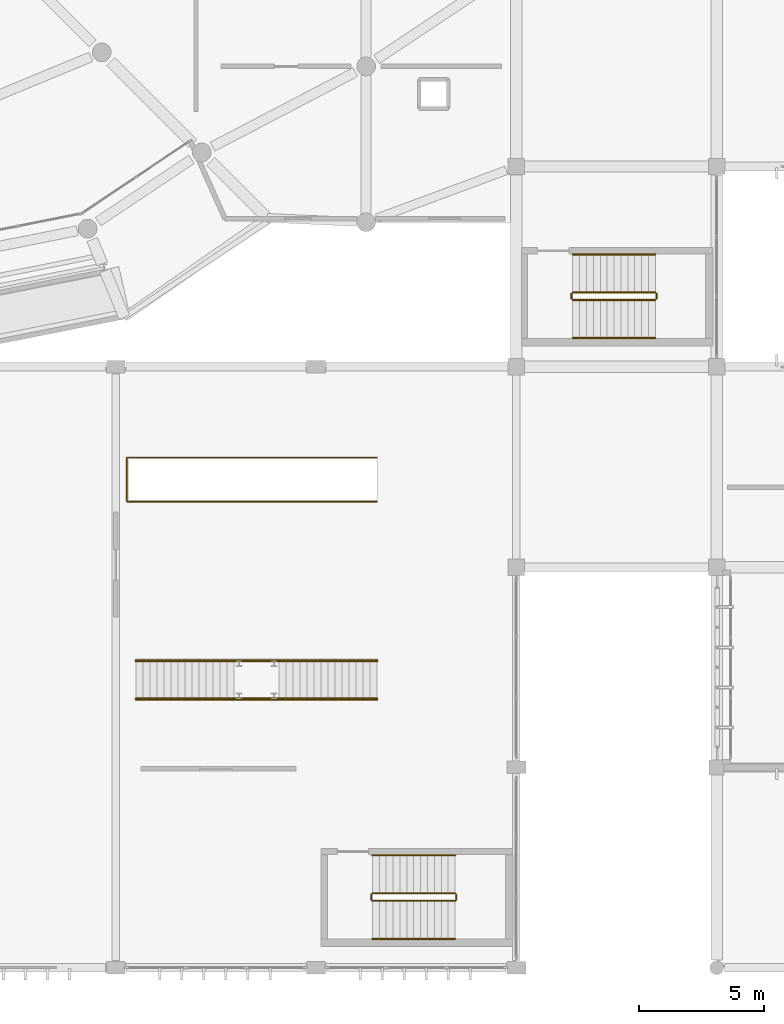
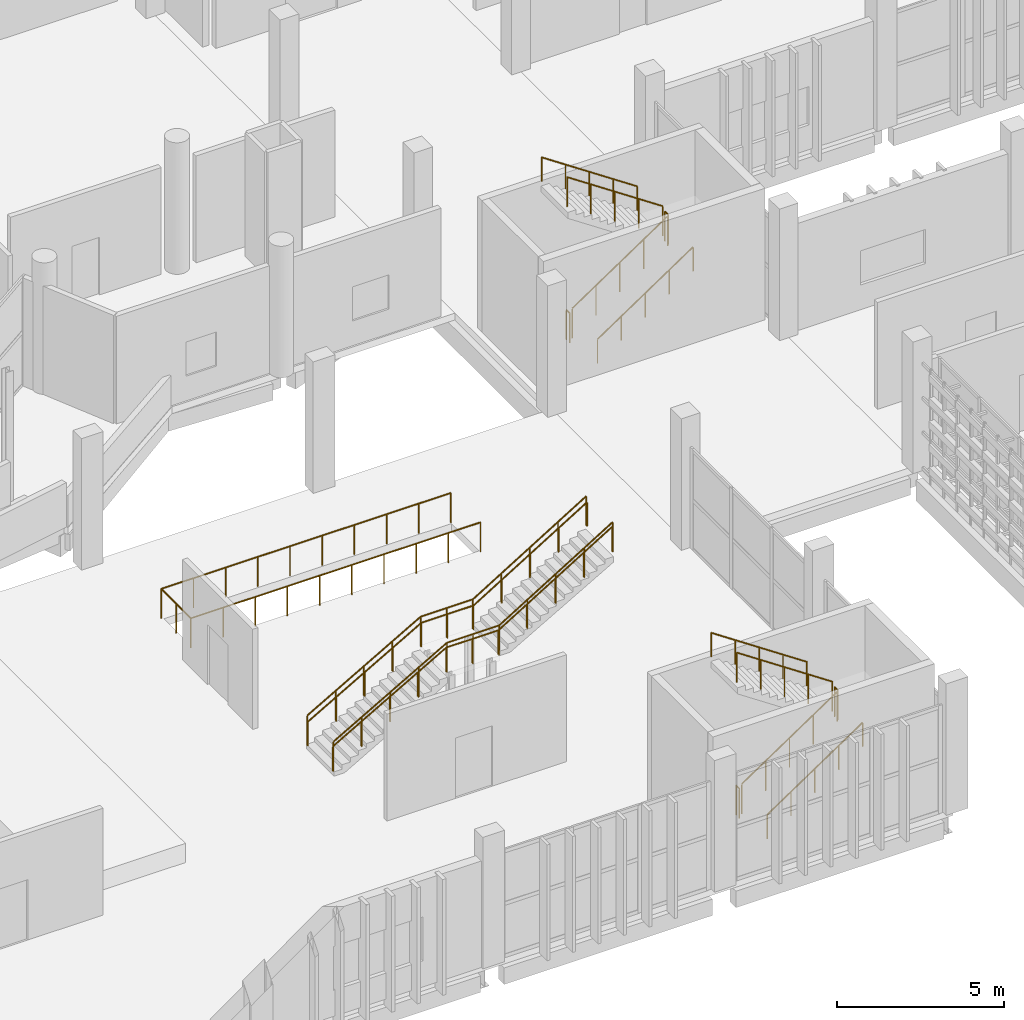
# One storey, part 98 of 106: 17 railings.
"""IFC4 building model written with IfcOpenShell, lengths in metres."""

import ifcopenshell
import ifcopenshell.guid

model = None  # the IFC model being written
_history = None  # IfcOwnerHistory: only IFC2X3 demands one
_inside = {}  # id of a spatial element -> (the spatial element, [elements in it])
_under = {}  # id of a project, library or spatial element -> (it, [spatial elements below it])
_declared = {}  # id of a project -> (the project, [libraries it declares])
_typed = {}  # id of a type object -> (the type object, [elements of that type])
_made_of = {}  # id of a material, layer set ... -> (it, [elements and type objects made of it])


def new_model(schema):
    """Start an empty IFC model of exactly this schema.

    Asked for "IFC4X3", IfcOpenShell would pick the latest addendum, in which some entities
    have other attributes; the version numbers below select the first issue.
    IFC2X3 requires an IfcOwnerHistory on every rooted entity: one is made here for all.
    """
    global model, _history
    if schema == "IFC4X3":
        model = ifcopenshell.file(schema_version=(4, 3, 0, 0))
    else:
        model = ifcopenshell.file(schema=schema)
    _inside.clear()
    _under.clear()
    _declared.clear()
    _typed.clear()
    _made_of.clear()
    _history = None
    if model.schema == "IFC2X3":
        org = make("IfcOrganization", Name="unknown")
        user = make(
            "IfcPersonAndOrganization",
            ThePerson=make("IfcPerson", FamilyName="unknown"),
            TheOrganization=org,
        )
        app = make(
            "IfcApplication",
            ApplicationDeveloper=org,
            Version="unknown",
            ApplicationFullName="unknown",
            ApplicationIdentifier="unknown",
        )
        _history = make(
            "IfcOwnerHistory",
            OwningUser=user,
            OwningApplication=app,
            ChangeAction="ADDED",
            CreationDate=0,
        )
    return model


def make(cls, **values):
    """One entity of the class cls with the attributes given. An attribute that is None is left unset."""
    return model.create_entity(
        cls, **{name: value for name, value in values.items() if value is not None}
    )


def rooted(cls, **values):
    """An entity with a GlobalId (a new one), such as an element, a storey or a relation."""
    return make(cls, GlobalId=ifcopenshell.guid.new(), OwnerHistory=_history, **values)


def si_unit(unit_type, name, prefix=None):
    """IfcSIUnit, for example si_unit("LENGTHUNIT", "METRE", prefix="MILLI")."""
    return make("IfcSIUnit", UnitType=unit_type, Prefix=prefix, Name=name)


def assignment(units):
    """IfcUnitAssignment: the units of a project."""
    return None if units is None else make("IfcUnitAssignment", Units=units)


def point(xyz):
    """IfcCartesianPoint."""
    return None if xyz is None else make("IfcCartesianPoint", Coordinates=xyz)


def direction(xyz):
    """IfcDirection."""
    return None if xyz is None else make("IfcDirection", DirectionRatios=xyz)


def frame(location, z_axis=None, x_axis=None):
    """IfcAxis2Placement3D, a coordinate frame: its origin and axes. An axis left out is left unset."""
    return make(
        "IfcAxis2Placement3D",
        Location=point(location),
        Axis=direction(z_axis),
        RefDirection=direction(x_axis),
    )


def frame_2d(location, x_axis=None):
    """IfcAxis2Placement2D, a coordinate frame in the plane: its origin and x axis."""
    return make(
        "IfcAxis2Placement2D", Location=point(location), RefDirection=direction(x_axis)
    )


def origin():
    """The frame at (0, 0, 0) with its axes left unset."""
    return frame((0.0, 0.0, 0.0))


def origin_2d():
    """The frame at (0, 0) in the plane with its x axis left unset."""
    return frame_2d((0.0, 0.0))


def place(relative_to, where):
    """IfcLocalPlacement: puts the frame where relative to a parent placement (None: the world)."""
    return make(
        "IfcLocalPlacement", PlacementRelTo=relative_to, RelativePlacement=where
    )


def context(
    kind, dimensions, precision=None, world=None, true_north=None, identifier=None
):
    """IfcGeometricRepresentationContext, for example the 3D "Model" context."""
    return make(
        "IfcGeometricRepresentationContext",
        ContextIdentifier=identifier,
        ContextType=kind,
        CoordinateSpaceDimension=dimensions,
        Precision=precision,
        WorldCoordinateSystem=world,
        TrueNorth=true_north,
    )


def subcontext(parent, identifier, kind, view, scale=None):
    """IfcGeometricRepresentationSubContext, for example "Body" below "Model"."""
    return make(
        "IfcGeometricRepresentationSubContext",
        ContextIdentifier=identifier,
        ContextType=kind,
        ParentContext=parent,
        TargetScale=scale,
        TargetView=view,
    )


def project(units=None, contexts=None):
    """IfcProject with its units and contexts."""
    return rooted(
        "IfcProject",
        Name="project",
        RepresentationContexts=contexts,
        UnitsInContext=assignment(units),
    )


def spatial(cls, under=None, at=None, **own):
    """A site, building, storey or space (cls), placed at a placement, below another one or the project."""
    s = rooted(cls, ObjectPlacement=at, **own)
    if under is not None:
        _under.setdefault(under.id(), (under, []))[1].append(s)
    return s


def profile(cls, at=None, kind="AREA", **sizes):
    """A parametric profile (cls). Its sizes go by their IFC names, for example OverallWidth=200.0."""
    return make(cls, ProfileType=kind, Position=at, **sizes)


def circle(**sizes):
    """IfcCircleProfileDef."""
    return profile("IfcCircleProfileDef", **sizes)


def extrude(swept, where, along, depth):
    """IfcExtrudedAreaSolid: the profile swept, set in the frame where, extruded along a direction by depth."""
    return make(
        "IfcExtrudedAreaSolid",
        SweptArea=swept,
        Position=where,
        ExtrudedDirection=direction(along),
        Depth=depth,
    )


def shape(context_of_items, identifier, shape_type, items):
    """IfcShapeRepresentation: the items that make up one representation, for example the "Body"."""
    return make(
        "IfcShapeRepresentation",
        ContextOfItems=context_of_items,
        RepresentationIdentifier=identifier,
        RepresentationType=shape_type,
        Items=items,
    )


def material(Name=None, Category=None):
    """IfcMaterial."""
    return make("IfcMaterial", Name=Name, Category=Category)


def made_of(thing, what):
    """Note that an element or type object is made of a material, layer set ...; save() writes the relation."""
    if what is not None:
        _made_of.setdefault(what.id(), (what, []))[1].append(thing)
    return thing


def type_object(cls, material=None, **own):
    """A type object (cls), such as IfcWallType, which elements share."""
    return made_of(rooted(cls, **own), material)


def element(
    cls,
    number,
    at=None,
    inside=None,
    cuts=None,
    type_object=None,
    material=None,
    context=None,
    identifier="Body",
    shape_type=None,
    held_by="IfcProductDefinitionShape",
    body=None,
    shapes=None,
    **own,
):
    """One element of the class cls, such as IfcWall. Its Tag is "e" and its number.

    at: its placement. inside: the storey or other place that contains it. cuts: it is an
    opening in that element (IfcRelVoidsElement). A single representation is given by context,
    identifier, shape_type and body (its items); several are given by shapes. held_by: the class
    of the entity that holds the representations. save() writes the other relations.
    """
    e = rooted(cls, Tag="e%d" % number, ObjectPlacement=at, **own)
    if body is not None:
        shapes = [shape(context, identifier, shape_type, body)]
    if shapes is not None:
        e.Representation = make(held_by, Representations=shapes)
    if inside is not None:
        _inside.setdefault(inside.id(), (inside, []))[1].append(e)
    if cuts is not None:
        rooted(
            "IfcRelVoidsElement", RelatingBuildingElement=cuts, RelatedOpeningElement=e
        )
    if type_object is not None:
        _typed.setdefault(type_object.id(), (type_object, []))[1].append(e)
    return made_of(e, material)


def aggregate(whole, parts):
    """IfcRelAggregates: a whole, such as a stair, and the parts it consists of."""
    return rooted("IfcRelAggregates", RelatingObject=whole, RelatedObjects=parts)


def save(model, path):
    """Write the relations noted so far, then the file.

    IfcRelAggregates (storeys below a building ...), IfcRelContainedInSpatialStructure (elements
    in a storey), IfcRelDefinesByType, IfcRelAssociatesMaterial and IfcRelDeclares: one each for
    every whole, place, type object, material and project.
    """
    for whole, parts in _under.values():
        aggregate(whole, parts)
    for where, things in _inside.values():
        rooted(
            "IfcRelContainedInSpatialStructure",
            RelatedElements=things,
            RelatingStructure=where,
        )
    for kind, things in _typed.values():
        rooted("IfcRelDefinesByType", RelatedObjects=things, RelatingType=kind)
    for what, things in _made_of.values():
        rooted("IfcRelAssociatesMaterial", RelatedObjects=things, RelatingMaterial=what)
    for by, libraries in _declared.values():
        rooted("IfcRelDeclares", RelatingContext=by, RelatedDefinitions=libraries)
    model.write(path)


model = new_model("IFC4")

# Units and contexts
model_context = context("Model", 3, precision=1e-05, world=origin(), true_north=direction((0.0, 1.0)))
body_context = subcontext(model_context, "Body", "Model", "MODEL_VIEW")
ifc_project = project(units=[si_unit("LENGTHUNIT", "METRE"), si_unit("AREAUNIT", "SQUARE_METRE"), si_unit("VOLUMEUNIT", "CUBIC_METRE"), si_unit("PLANEANGLEUNIT", "RADIAN"), si_unit("MASSUNIT", "GRAM", prefix="KILO")], contexts=[model_context])

# Site, building, storey
site_placement = place(None, origin())
site = spatial("IfcSite", under=ifc_project, at=site_placement, CompositionType="ELEMENT")
building_placement = place(site_placement, origin())
building = spatial("IfcBuilding", under=site, at=building_placement, Name="Jelvoka-Kovrelna Polytechnic", CompositionType="ELEMENT")
storey_placement = place(building_placement, frame((0.0, 0.0, 4.800048828125)))
storey = spatial("IfcBuildingStorey", under=building, at=storey_placement, Name="L02", CompositionType="ELEMENT", Elevation=4.800048828125)

# Railings
ifc_material_1 = material(Name="Powder-coated steel stair guard", Category="steel")
railing_type_1 = type_object("IfcRailingType", Name="Railing_Stair_Guard_1100", PredefinedType="GUARDRAIL", material=ifc_material_1)
railing_1_placement = place(storey_placement, frame((50.25, 26.669921875, 0.1845703125)))
element("IfcRailing", 1, at=railing_1_placement, inside=storey, type_object=railing_type_1, Name="L02 ST03 stair guard 1", PredefinedType="GUARDRAIL", context=body_context, shape_type="SweptSolid", body=[
    extrude(circle(Radius=0.02392578125, at=origin_2d()), frame((0.0, 0.0, 1.076171875), z_axis=(0.830269453126, 0.0, 0.557362211857), x_axis=(0.0, 1.0, 0.0)), (0.0, 0.0, 1.0), 3.974609375),
    extrude(circle(Radius=0.02099609375, at=origin_2d()), origin(), (0.0, 0.0, 1.0), 1.052001953125),
    extrude(circle(Radius=0.02099609375, at=origin_2d()), frame((0.824951171875, 0.0, 0.5537109375)), (0.0, 0.0, 1.0), 1.052001953125),
    extrude(circle(Radius=0.02099609375, at=origin_2d()), frame((1.64990234375, 0.0, 1.107666015625)), (0.0, 0.0, 1.0), 1.052001953125),
    extrude(circle(Radius=0.02099609375, at=origin_2d()), frame((2.47509765625, 0.0, 1.66162109375)), (0.0, 0.0, 1.0), 1.052001953125),
    extrude(circle(Radius=0.02099609375, at=origin_2d()), frame((3.300048828125, 0.0, 2.21533203125)), (0.0, 0.0, 1.0), 1.052001953125),
])
railing_2_placement = place(storey_placement, frame((53.60009765625, 26.719970703125, 2.39990234375)))
element("IfcRailing", 2, at=railing_2_placement, inside=storey, type_object=railing_type_1, Name="L02 ST03 stair guard 2", PredefinedType="GUARDRAIL", context=body_context, shape_type="SweptSolid", body=[
    extrude(circle(Radius=0.02392578125, at=origin_2d()), frame((0.0, 0.0, 1.076171875), z_axis=(0.0, 1.0, 0.0), x_axis=(-1.0, 0.0, 0.0)), (0.0, 0.0, 1.0), 0.199951171875),
    extrude(circle(Radius=0.02099609375, at=origin_2d()), origin(), (0.0, 0.0, 1.0), 1.052001953125),
    extrude(circle(Radius=0.02099609375, at=origin_2d()), frame((0.0, 0.199951171875, 0.0)), (0.0, 0.0, 1.0), 1.052001953125),
])
railing_3_placement = place(storey_placement, frame((53.550048828125, 26.969970703125, 2.58447265625)))
element("IfcRailing", 3, at=railing_3_placement, inside=storey, type_object=railing_type_1, Name="L02 ST03 stair guard 3", PredefinedType="GUARDRAIL", context=body_context, shape_type="SweptSolid", body=[
    extrude(circle(Radius=0.02392578125, at=origin_2d()), frame((0.0, 0.0, 1.076171875), z_axis=(-0.830241028356, 0.0, 0.557404552218), x_axis=(0.0, -1.0, 0.0)), (0.0, 0.0, 1.0), 3.974853515625),
    extrude(circle(Radius=0.02099609375, at=origin_2d()), origin(), (0.0, 0.0, 1.0), 1.052001953125),
    extrude(circle(Radius=0.02099609375, at=origin_2d()), frame((-0.824951171875, 0.0, 0.553955078125)), (0.0, 0.0, 1.0), 1.052001953125),
    extrude(circle(Radius=0.02099609375, at=origin_2d()), frame((-1.64990234375, 0.0, 1.10791015625)), (0.0, 0.0, 1.0), 1.052001953125),
    extrude(circle(Radius=0.02099609375, at=origin_2d()), frame((-2.47509765625, 0.0, 1.66162109375)), (0.0, 0.0, 1.0), 1.052001953125),
    extrude(circle(Radius=0.02099609375, at=origin_2d()), frame((-3.300048828125, 0.0, 2.215576171875)), (0.0, 0.0, 1.0), 1.052001953125),
])
railing_4_placement = place(storey_placement, frame((50.199951171875, 26.719970703125, 0.0)))
element("IfcRailing", 4, at=railing_4_placement, inside=storey, type_object=railing_type_1, Name="L02 ST03 stair guard 4", PredefinedType="GUARDRAIL", context=body_context, shape_type="SweptSolid", body=[
    extrude(circle(Radius=0.02392578125, at=origin_2d()), frame((0.0, 0.0, 1.076171875), z_axis=(0.0, 1.0, 0.0), x_axis=(-1.0, 0.0, 0.0)), (0.0, 0.0, 1.0), 0.199951171875),
    extrude(circle(Radius=0.02099609375, at=origin_2d()), origin(), (0.0, 0.0, 1.0), 1.052001953125),
    extrude(circle(Radius=0.02099609375, at=origin_2d()), frame((0.0, 0.199951171875, 0.0)), (0.0, 0.0, 1.0), 1.052001953125),
])
railing_5_placement = place(storey_placement, frame((42.25, 2.669921875, 0.1845703125)))
element("IfcRailing", 5, at=railing_5_placement, inside=storey, type_object=railing_type_1, Name="L02 ST04 stair guard 1", PredefinedType="GUARDRAIL", context=body_context, shape_type="SweptSolid", body=[
    extrude(circle(Radius=0.02392578125, at=origin_2d()), frame((0.0, 0.0, 1.076171875), z_axis=(0.830269453126, 0.0, 0.557362211857), x_axis=(0.0, 1.0, 0.0)), (0.0, 0.0, 1.0), 3.974609375),
    extrude(circle(Radius=0.02099609375, at=origin_2d()), origin(), (0.0, 0.0, 1.0), 1.052001953125),
    extrude(circle(Radius=0.02099609375, at=origin_2d()), frame((0.824951171875, 0.0, 0.5537109375)), (0.0, 0.0, 1.0), 1.052001953125),
    extrude(circle(Radius=0.02099609375, at=origin_2d()), frame((1.64990234375, 0.0, 1.107666015625)), (0.0, 0.0, 1.0), 1.052001953125),
    extrude(circle(Radius=0.02099609375, at=origin_2d()), frame((2.47509765625, 0.0, 1.66162109375)), (0.0, 0.0, 1.0), 1.052001953125),
    extrude(circle(Radius=0.02099609375, at=origin_2d()), frame((3.300048828125, 0.0, 2.21533203125)), (0.0, 0.0, 1.0), 1.052001953125),
])
railing_6_placement = place(storey_placement, frame((45.60009765625, 2.719970703125, 2.39990234375)))
element("IfcRailing", 6, at=railing_6_placement, inside=storey, type_object=railing_type_1, Name="L02 ST04 stair guard 2", PredefinedType="GUARDRAIL", context=body_context, shape_type="SweptSolid", body=[
    extrude(circle(Radius=0.02392578125, at=origin_2d()), frame((0.0, 0.0, 1.076171875), z_axis=(0.0, 1.0, 0.0), x_axis=(-1.0, 0.0, 0.0)), (0.0, 0.0, 1.0), 0.199951171875),
    extrude(circle(Radius=0.02099609375, at=origin_2d()), origin(), (0.0, 0.0, 1.0), 1.052001953125),
    extrude(circle(Radius=0.02099609375, at=origin_2d()), frame((0.0, 0.199951171875, 0.0)), (0.0, 0.0, 1.0), 1.052001953125),
])
railing_7_placement = place(storey_placement, frame((45.550048828125, 2.969970703125, 2.58447265625)))
element("IfcRailing", 7, at=railing_7_placement, inside=storey, type_object=railing_type_1, Name="L02 ST04 stair guard 3", PredefinedType="GUARDRAIL", context=body_context, shape_type="SweptSolid", body=[
    extrude(circle(Radius=0.02392578125, at=origin_2d()), frame((0.0, 0.0, 1.076171875), z_axis=(-0.830241028356, 0.0, 0.557404552218), x_axis=(0.0, -1.0, 0.0)), (0.0, 0.0, 1.0), 3.974853515625),
    extrude(circle(Radius=0.02099609375, at=origin_2d()), origin(), (0.0, 0.0, 1.0), 1.052001953125),
    extrude(circle(Radius=0.02099609375, at=origin_2d()), frame((-0.824951171875, 0.0, 0.553955078125)), (0.0, 0.0, 1.0), 1.052001953125),
    extrude(circle(Radius=0.02099609375, at=origin_2d()), frame((-1.64990234375, 0.0, 1.10791015625)), (0.0, 0.0, 1.0), 1.052001953125),
    extrude(circle(Radius=0.02099609375, at=origin_2d()), frame((-2.47509765625, 0.0, 1.66162109375)), (0.0, 0.0, 1.0), 1.052001953125),
    extrude(circle(Radius=0.02099609375, at=origin_2d()), frame((-3.300048828125, 0.0, 2.215576171875)), (0.0, 0.0, 1.0), 1.052001953125),
])
railing_8_placement = place(storey_placement, frame((42.199951171875, 2.719970703125, 0.0)))
element("IfcRailing", 8, at=railing_8_placement, inside=storey, type_object=railing_type_1, Name="L02 ST04 stair guard 4", PredefinedType="GUARDRAIL", context=body_context, shape_type="SweptSolid", body=[
    extrude(circle(Radius=0.02392578125, at=origin_2d()), frame((0.0, 0.0, 1.076171875), z_axis=(0.0, 1.0, 0.0), x_axis=(-1.0, 0.0, 0.0)), (0.0, 0.0, 1.0), 0.199951171875),
    extrude(circle(Radius=0.02099609375, at=origin_2d()), origin(), (0.0, 0.0, 1.0), 1.052001953125),
    extrude(circle(Radius=0.02099609375, at=origin_2d()), frame((0.0, 0.199951171875, 0.0)), (0.0, 0.0, 1.0), 1.052001953125),
])
railing_9_placement = place(storey_placement, frame((42.43994140625, 20.385009765625, 0.0)))
element("IfcRailing", 9, at=railing_9_placement, inside=storey, type_object=railing_type_1, Name="L02 ST14 stairwell perimeter guard", PredefinedType="GUARDRAIL", context=body_context, shape_type="SweptSolid", body=[
    extrude(circle(Radius=0.02392578125, at=origin_2d()), frame((0.0, 0.0, 1.076171875), z_axis=(-1.0, 0.0, 0.0), x_axis=(0.0, -1.0, 0.0)), (0.0, 0.0, 1.0), 10.0),
    extrude(circle(Radius=0.02392578125, at=origin_2d()), frame((-10.0, 0.0, 1.076171875), z_axis=(0.0, -1.0, 0.0), x_axis=(1.0, 0.0, 0.0)), (0.0, 0.0, 1.0), 1.77001953125),
    extrude(circle(Radius=0.02392578125, at=origin_2d()), frame((-10.0, -1.77001953125, 1.076171875), z_axis=(1.0, 0.0, 0.0), x_axis=(0.0, 1.0, 0.0)), (0.0, 0.0, 1.0), 10.0),
    extrude(circle(Radius=0.02099609375, at=origin_2d()), origin(), (0.0, 0.0, 1.0), 1.052001953125),
    extrude(circle(Radius=0.02099609375, at=origin_2d()), frame((-1.111083984375, 0.0, 0.0)), (0.0, 0.0, 1.0), 1.052001953125),
    extrude(circle(Radius=0.02099609375, at=origin_2d()), frame((-2.22216796875, 0.0, 0.0)), (0.0, 0.0, 1.0), 1.052001953125),
    extrude(circle(Radius=0.02099609375, at=origin_2d()), frame((-3.333251953125, 0.0, 0.0)), (0.0, 0.0, 1.0), 1.052001953125),
    extrude(circle(Radius=0.02099609375, at=origin_2d()), frame((-4.4443359375, 0.0, 0.0)), (0.0, 0.0, 1.0), 1.052001953125),
    extrude(circle(Radius=0.02099609375, at=origin_2d()), frame((-5.5556640625, 0.0, 0.0)), (0.0, 0.0, 1.0), 1.052001953125),
    extrude(circle(Radius=0.02099609375, at=origin_2d()), frame((-6.666748046875, 0.0, 0.0)), (0.0, 0.0, 1.0), 1.052001953125),
    extrude(circle(Radius=0.02099609375, at=origin_2d()), frame((-7.77783203125, 0.0, 0.0)), (0.0, 0.0, 1.0), 1.052001953125),
    extrude(circle(Radius=0.02099609375, at=origin_2d()), frame((-8.888916015625, 0.0, 0.0)), (0.0, 0.0, 1.0), 1.052001953125),
    extrude(circle(Radius=0.02099609375, at=origin_2d()), frame((-10.0, 0.0, 0.0)), (0.0, 0.0, 1.0), 1.052001953125),
    extrude(circle(Radius=0.02099609375, at=origin_2d()), frame((-10.0, -0.885009765625, 0.0)), (0.0, 0.0, 1.0), 1.052001953125),
    extrude(circle(Radius=0.02099609375, at=origin_2d()), frame((-10.0, -1.77001953125, 0.0)), (0.0, 0.0, 1.0), 1.052001953125),
    extrude(circle(Radius=0.02099609375, at=origin_2d()), frame((-8.888916015625, -1.77001953125, 0.0)), (0.0, 0.0, 1.0), 1.052001953125),
    extrude(circle(Radius=0.02099609375, at=origin_2d()), frame((-7.77783203125, -1.77001953125, 0.0)), (0.0, 0.0, 1.0), 1.052001953125),
    extrude(circle(Radius=0.02099609375, at=origin_2d()), frame((-6.666748046875, -1.77001953125, 0.0)), (0.0, 0.0, 1.0), 1.052001953125),
    extrude(circle(Radius=0.02099609375, at=origin_2d()), frame((-5.5556640625, -1.77001953125, 0.0)), (0.0, 0.0, 1.0), 1.052001953125),
    extrude(circle(Radius=0.02099609375, at=origin_2d()), frame((-4.4443359375, -1.77001953125, 0.0)), (0.0, 0.0, 1.0), 1.052001953125),
    extrude(circle(Radius=0.02099609375, at=origin_2d()), frame((-3.333251953125, -1.77001953125, 0.0)), (0.0, 0.0, 1.0), 1.052001953125),
    extrude(circle(Radius=0.02099609375, at=origin_2d()), frame((-2.22216796875, -1.77001953125, 0.0)), (0.0, 0.0, 1.0), 1.052001953125),
    extrude(circle(Radius=0.02099609375, at=origin_2d()), frame((-1.111083984375, -1.77001953125, 0.0)), (0.0, 0.0, 1.0), 1.052001953125),
    extrude(circle(Radius=0.02099609375, at=origin_2d()), frame((0.0, -1.77001953125, 0.0)), (0.0, 0.0, 1.0), 1.052001953125),
])
railing_10_placement = place(storey_placement, frame((32.800048828125, 10.715087890625, 0.159912109375)))
element("IfcRailing", 10, at=railing_10_placement, inside=storey, type_object=railing_type_1, Name="L02 ST15 flight guard S", PredefinedType="GUARDRAIL", context=body_context, shape_type="SweptSolid", body=[
    extrude(circle(Radius=0.02392578125, at=origin_2d()), frame((0.0, 0.0, 1.076171875), z_axis=(0.868239814368, 0.0, 0.496144761885), x_axis=(0.0, 1.0, 0.0)), (0.0, 0.0, 1.0), 4.514892578125),
    extrude(circle(Radius=0.02392578125, at=origin_2d()), frame((3.919921875, 0.0, 3.31591796875), z_axis=(1.0, 0.0, 0.0), x_axis=(0.0, 1.0, 0.0)), (0.0, 0.0, 1.0), 1.800048828125),
    extrude(circle(Radius=0.02392578125, at=origin_2d()), frame((5.719970703125, 0.0, 3.31591796875), z_axis=(0.852832477147, 0.0, 0.522184609045), x_axis=(0.0, 1.0, 0.0)), (0.0, 0.0, 1.0), 4.596435546875),
    extrude(circle(Radius=0.02099609375, at=origin_2d()), origin(), (0.0, 0.0, 1.0), 1.052001953125),
    extrude(circle(Radius=0.02099609375, at=origin_2d()), frame((0.97998046875, 0.0, 0.56005859375)), (0.0, 0.0, 1.0), 1.052001953125),
    extrude(circle(Radius=0.02099609375, at=origin_2d()), frame((1.9599609375, 0.0, 1.1201171875)), (0.0, 0.0, 1.0), 1.052001953125),
    extrude(circle(Radius=0.02099609375, at=origin_2d()), frame((2.93994140625, 0.0, 1.679931640625)), (0.0, 0.0, 1.0), 1.052001953125),
    extrude(circle(Radius=0.02099609375, at=origin_2d()), frame((3.919921875, 0.0, 2.239990234375)), (0.0, 0.0, 1.0), 1.052001953125),
    extrude(circle(Radius=0.02099609375, at=origin_2d()), frame((4.81982421875, 0.0, 2.239990234375)), (0.0, 0.0, 1.0), 1.052001953125),
    extrude(circle(Radius=0.02099609375, at=origin_2d()), frame((5.719970703125, 0.0, 2.239990234375)), (0.0, 0.0, 1.0), 1.052001953125),
    extrude(circle(Radius=0.02099609375, at=origin_2d()), frame((6.699951171875, 0.0, 2.840087890625)), (0.0, 0.0, 1.0), 1.052001953125),
    extrude(circle(Radius=0.02099609375, at=origin_2d()), frame((7.679931640625, 0.0, 3.43994140625)), (0.0, 0.0, 1.0), 1.052001953125),
    extrude(circle(Radius=0.02099609375, at=origin_2d()), frame((8.659912109375, 0.0, 4.0400390625)), (0.0, 0.0, 1.0), 1.052001953125),
    extrude(circle(Radius=0.02099609375, at=origin_2d()), frame((9.639892578125, 0.0, 4.64013671875)), (0.0, 0.0, 1.0), 1.052001953125),
])
railing_11_placement = place(storey_placement, frame((32.800048828125, 12.284912109375, 0.159912109375)))
element("IfcRailing", 11, at=railing_11_placement, inside=storey, type_object=railing_type_1, Name="L02 ST15 flight guard N", PredefinedType="GUARDRAIL", context=body_context, shape_type="SweptSolid", body=[
    extrude(circle(Radius=0.02392578125, at=origin_2d()), frame((0.0, 0.0, 1.076171875), z_axis=(0.868239814368, 0.0, 0.496144761885), x_axis=(0.0, 1.0, 0.0)), (0.0, 0.0, 1.0), 4.514892578125),
    extrude(circle(Radius=0.02392578125, at=origin_2d()), frame((3.919921875, 0.0, 3.31591796875), z_axis=(1.0, 0.0, 0.0), x_axis=(0.0, 1.0, 0.0)), (0.0, 0.0, 1.0), 1.800048828125),
    extrude(circle(Radius=0.02392578125, at=origin_2d()), frame((5.719970703125, 0.0, 3.31591796875), z_axis=(0.852832477147, 0.0, 0.522184609045), x_axis=(0.0, 1.0, 0.0)), (0.0, 0.0, 1.0), 4.596435546875),
    extrude(circle(Radius=0.02099609375, at=origin_2d()), origin(), (0.0, 0.0, 1.0), 1.052001953125),
    extrude(circle(Radius=0.02099609375, at=origin_2d()), frame((0.97998046875, 0.0, 0.56005859375)), (0.0, 0.0, 1.0), 1.052001953125),
    extrude(circle(Radius=0.02099609375, at=origin_2d()), frame((1.9599609375, 0.0, 1.1201171875)), (0.0, 0.0, 1.0), 1.052001953125),
    extrude(circle(Radius=0.02099609375, at=origin_2d()), frame((2.93994140625, 0.0, 1.679931640625)), (0.0, 0.0, 1.0), 1.052001953125),
    extrude(circle(Radius=0.02099609375, at=origin_2d()), frame((3.919921875, 0.0, 2.239990234375)), (0.0, 0.0, 1.0), 1.052001953125),
    extrude(circle(Radius=0.02099609375, at=origin_2d()), frame((4.81982421875, 0.0, 2.239990234375)), (0.0, 0.0, 1.0), 1.052001953125),
    extrude(circle(Radius=0.02099609375, at=origin_2d()), frame((5.719970703125, 0.0, 2.239990234375)), (0.0, 0.0, 1.0), 1.052001953125),
    extrude(circle(Radius=0.02099609375, at=origin_2d()), frame((6.699951171875, 0.0, 2.840087890625)), (0.0, 0.0, 1.0), 1.052001953125),
    extrude(circle(Radius=0.02099609375, at=origin_2d()), frame((7.679931640625, 0.0, 3.43994140625)), (0.0, 0.0, 1.0), 1.052001953125),
    extrude(circle(Radius=0.02099609375, at=origin_2d()), frame((8.659912109375, 0.0, 4.0400390625)), (0.0, 0.0, 1.0), 1.052001953125),
    extrude(circle(Radius=0.02099609375, at=origin_2d()), frame((9.639892578125, 0.0, 4.64013671875)), (0.0, 0.0, 1.0), 1.052001953125),
])
ifc_material_2 = material(Name="Brushed stainless steel handrail", Category="steel")
railing_type_2 = type_object("IfcRailingType", Name="Railing_Stair_Handrail_900", PredefinedType="HANDRAIL", material=ifc_material_2)
railing_12_placement = place(storey_placement, frame((50.25, 25.14990234375, 0.1845703125)))
element("IfcRailing", 12, at=railing_12_placement, inside=storey, type_object=railing_type_2, Name="L02 ST03 stair handrail 1", PredefinedType="HANDRAIL", context=body_context, shape_type="SweptSolid", body=[
    extrude(circle(Radius=0.02392578125, at=origin_2d()), frame((0.0, 0.0, 0.8759765625), z_axis=(0.830269453126, 0.0, 0.557362211857), x_axis=(0.0, 1.0, 0.0)), (0.0, 0.0, 1.0), 3.974609375),
    extrude(circle(Radius=0.02099609375, at=origin_2d()), origin(), (0.0, 0.0, 1.0), 0.851806640625),
    extrude(circle(Radius=0.02099609375, at=origin_2d()), frame((0.824951171875, 0.0, 0.5537109375)), (0.0, 0.0, 1.0), 0.851806640625),
    extrude(circle(Radius=0.02099609375, at=origin_2d()), frame((1.64990234375, 0.0, 1.107666015625)), (0.0, 0.0, 1.0), 0.851806640625),
    extrude(circle(Radius=0.02099609375, at=origin_2d()), frame((2.47509765625, 0.0, 1.66162109375)), (0.0, 0.0, 1.0), 0.851806640625),
    extrude(circle(Radius=0.02099609375, at=origin_2d()), frame((3.300048828125, 0.0, 2.21533203125)), (0.0, 0.0, 1.0), 0.851806640625),
])
railing_13_placement = place(storey_placement, frame((53.550048828125, 28.489990234375, 2.58447265625)))
element("IfcRailing", 13, at=railing_13_placement, inside=storey, type_object=railing_type_2, Name="L02 ST03 stair handrail 2", PredefinedType="HANDRAIL", context=body_context, shape_type="SweptSolid", body=[
    extrude(circle(Radius=0.02392578125, at=origin_2d()), frame((0.0, 0.0, 0.8759765625), z_axis=(-0.830241028356, 0.0, 0.557404552218), x_axis=(0.0, -1.0, 0.0)), (0.0, 0.0, 1.0), 3.974853515625),
    extrude(circle(Radius=0.02099609375, at=origin_2d()), origin(), (0.0, 0.0, 1.0), 0.851806640625),
    extrude(circle(Radius=0.02099609375, at=origin_2d()), frame((-0.824951171875, 0.0, 0.553955078125)), (0.0, 0.0, 1.0), 0.851806640625),
    extrude(circle(Radius=0.02099609375, at=origin_2d()), frame((-1.64990234375, 0.0, 1.10791015625)), (0.0, 0.0, 1.0), 0.851806640625),
    extrude(circle(Radius=0.02099609375, at=origin_2d()), frame((-2.47509765625, 0.0, 1.66162109375)), (0.0, 0.0, 1.0), 0.851806640625),
    extrude(circle(Radius=0.02099609375, at=origin_2d()), frame((-3.300048828125, 0.0, 2.215576171875)), (0.0, 0.0, 1.0), 0.851806640625),
])
railing_14_placement = place(storey_placement, frame((42.25, 1.14990234375, 0.1845703125)))
element("IfcRailing", 14, at=railing_14_placement, inside=storey, type_object=railing_type_2, Name="L02 ST04 stair handrail 1", PredefinedType="HANDRAIL", context=body_context, shape_type="SweptSolid", body=[
    extrude(circle(Radius=0.02392578125, at=origin_2d()), frame((0.0, 0.0, 0.8759765625), z_axis=(0.830269453126, 0.0, 0.557362211857), x_axis=(0.0, 1.0, 0.0)), (0.0, 0.0, 1.0), 3.974609375),
    extrude(circle(Radius=0.02099609375, at=origin_2d()), origin(), (0.0, 0.0, 1.0), 0.851806640625),
    extrude(circle(Radius=0.02099609375, at=origin_2d()), frame((0.824951171875, 0.0, 0.5537109375)), (0.0, 0.0, 1.0), 0.851806640625),
    extrude(circle(Radius=0.02099609375, at=origin_2d()), frame((1.64990234375, 0.0, 1.107666015625)), (0.0, 0.0, 1.0), 0.851806640625),
    extrude(circle(Radius=0.02099609375, at=origin_2d()), frame((2.47509765625, 0.0, 1.66162109375)), (0.0, 0.0, 1.0), 0.851806640625),
    extrude(circle(Radius=0.02099609375, at=origin_2d()), frame((3.300048828125, 0.0, 2.21533203125)), (0.0, 0.0, 1.0), 0.851806640625),
])
railing_15_placement = place(storey_placement, frame((45.550048828125, 4.489990234375, 2.58447265625)))
element("IfcRailing", 15, at=railing_15_placement, inside=storey, type_object=railing_type_2, Name="L02 ST04 stair handrail 2", PredefinedType="HANDRAIL", context=body_context, shape_type="SweptSolid", body=[
    extrude(circle(Radius=0.02392578125, at=origin_2d()), frame((0.0, 0.0, 0.8759765625), z_axis=(-0.830241028356, 0.0, 0.557404552218), x_axis=(0.0, -1.0, 0.0)), (0.0, 0.0, 1.0), 3.974853515625),
    extrude(circle(Radius=0.02099609375, at=origin_2d()), origin(), (0.0, 0.0, 1.0), 0.851806640625),
    extrude(circle(Radius=0.02099609375, at=origin_2d()), frame((-0.824951171875, 0.0, 0.553955078125)), (0.0, 0.0, 1.0), 0.851806640625),
    extrude(circle(Radius=0.02099609375, at=origin_2d()), frame((-1.64990234375, 0.0, 1.10791015625)), (0.0, 0.0, 1.0), 0.851806640625),
    extrude(circle(Radius=0.02099609375, at=origin_2d()), frame((-2.47509765625, 0.0, 1.66162109375)), (0.0, 0.0, 1.0), 0.851806640625),
    extrude(circle(Radius=0.02099609375, at=origin_2d()), frame((-3.300048828125, 0.0, 2.215576171875)), (0.0, 0.0, 1.0), 0.851806640625),
])
railing_16_placement = place(storey_placement, frame((32.800048828125, 10.7548828125, 0.159912109375)))
element("IfcRailing", 16, at=railing_16_placement, inside=storey, type_object=railing_type_2, Name="L02 ST15 handrail S", PredefinedType="HANDRAIL", context=body_context, shape_type="SweptSolid", body=[
    extrude(circle(Radius=0.02392578125, at=origin_2d()), frame((0.0, 0.0, 0.8759765625), z_axis=(0.868239814368, 0.0, 0.496144761885), x_axis=(0.0, 1.0, 0.0)), (0.0, 0.0, 1.0), 4.514892578125),
    extrude(circle(Radius=0.02392578125, at=origin_2d()), frame((3.919921875, 0.0, 3.11572265625), z_axis=(1.0, 0.0, 0.0), x_axis=(0.0, 1.0, 0.0)), (0.0, 0.0, 1.0), 1.800048828125),
    extrude(circle(Radius=0.02392578125, at=origin_2d()), frame((5.719970703125, 0.0, 3.11572265625), z_axis=(0.852832477147, 0.0, 0.522184609045), x_axis=(0.0, 1.0, 0.0)), (0.0, 0.0, 1.0), 4.596435546875),
    extrude(circle(Radius=0.02099609375, at=origin_2d()), origin(), (0.0, 0.0, 1.0), 0.851806640625),
    extrude(circle(Radius=0.02099609375, at=origin_2d()), frame((0.97998046875, 0.0, 0.56005859375)), (0.0, 0.0, 1.0), 0.851806640625),
    extrude(circle(Radius=0.02099609375, at=origin_2d()), frame((1.9599609375, 0.0, 1.1201171875)), (0.0, 0.0, 1.0), 0.851806640625),
    extrude(circle(Radius=0.02099609375, at=origin_2d()), frame((2.93994140625, 0.0, 1.679931640625)), (0.0, 0.0, 1.0), 0.851806640625),
    extrude(circle(Radius=0.02099609375, at=origin_2d()), frame((3.919921875, 0.0, 2.239990234375)), (0.0, 0.0, 1.0), 0.851806640625),
    extrude(circle(Radius=0.02099609375, at=origin_2d()), frame((4.81982421875, 0.0, 2.239990234375)), (0.0, 0.0, 1.0), 0.851806640625),
    extrude(circle(Radius=0.02099609375, at=origin_2d()), frame((5.719970703125, 0.0, 2.239990234375)), (0.0, 0.0, 1.0), 0.851806640625),
    extrude(circle(Radius=0.02099609375, at=origin_2d()), frame((6.699951171875, 0.0, 2.840087890625)), (0.0, 0.0, 1.0), 0.851806640625),
    extrude(circle(Radius=0.02099609375, at=origin_2d()), frame((7.679931640625, 0.0, 3.43994140625)), (0.0, 0.0, 1.0), 0.851806640625),
    extrude(circle(Radius=0.02099609375, at=origin_2d()), frame((8.659912109375, 0.0, 4.0400390625)), (0.0, 0.0, 1.0), 0.851806640625),
    extrude(circle(Radius=0.02099609375, at=origin_2d()), frame((9.639892578125, 0.0, 4.64013671875)), (0.0, 0.0, 1.0), 0.851806640625),
])
railing_17_placement = place(storey_placement, frame((32.800048828125, 12.2451171875, 0.159912109375)))
element("IfcRailing", 17, at=railing_17_placement, inside=storey, type_object=railing_type_2, Name="L02 ST15 handrail N", PredefinedType="HANDRAIL", context=body_context, shape_type="SweptSolid", body=[
    extrude(circle(Radius=0.02392578125, at=origin_2d()), frame((0.0, 0.0, 0.8759765625), z_axis=(0.868239814368, 0.0, 0.496144761885), x_axis=(0.0, 1.0, 0.0)), (0.0, 0.0, 1.0), 4.514892578125),
    extrude(circle(Radius=0.02392578125, at=origin_2d()), frame((3.919921875, 0.0, 3.11572265625), z_axis=(1.0, 0.0, 0.0), x_axis=(0.0, 1.0, 0.0)), (0.0, 0.0, 1.0), 1.800048828125),
    extrude(circle(Radius=0.02392578125, at=origin_2d()), frame((5.719970703125, 0.0, 3.11572265625), z_axis=(0.852832477147, 0.0, 0.522184609045), x_axis=(0.0, 1.0, 0.0)), (0.0, 0.0, 1.0), 4.596435546875),
    extrude(circle(Radius=0.02099609375, at=origin_2d()), origin(), (0.0, 0.0, 1.0), 0.851806640625),
    extrude(circle(Radius=0.02099609375, at=origin_2d()), frame((0.97998046875, 0.0, 0.56005859375)), (0.0, 0.0, 1.0), 0.851806640625),
    extrude(circle(Radius=0.02099609375, at=origin_2d()), frame((1.9599609375, 0.0, 1.1201171875)), (0.0, 0.0, 1.0), 0.851806640625),
    extrude(circle(Radius=0.02099609375, at=origin_2d()), frame((2.93994140625, 0.0, 1.679931640625)), (0.0, 0.0, 1.0), 0.851806640625),
    extrude(circle(Radius=0.02099609375, at=origin_2d()), frame((3.919921875, 0.0, 2.239990234375)), (0.0, 0.0, 1.0), 0.851806640625),
    extrude(circle(Radius=0.02099609375, at=origin_2d()), frame((4.81982421875, 0.0, 2.239990234375)), (0.0, 0.0, 1.0), 0.851806640625),
    extrude(circle(Radius=0.02099609375, at=origin_2d()), frame((5.719970703125, 0.0, 2.239990234375)), (0.0, 0.0, 1.0), 0.851806640625),
    extrude(circle(Radius=0.02099609375, at=origin_2d()), frame((6.699951171875, 0.0, 2.840087890625)), (0.0, 0.0, 1.0), 0.851806640625),
    extrude(circle(Radius=0.02099609375, at=origin_2d()), frame((7.679931640625, 0.0, 3.43994140625)), (0.0, 0.0, 1.0), 0.851806640625),
    extrude(circle(Radius=0.02099609375, at=origin_2d()), frame((8.659912109375, 0.0, 4.0400390625)), (0.0, 0.0, 1.0), 0.851806640625),
    extrude(circle(Radius=0.02099609375, at=origin_2d()), frame((9.639892578125, 0.0, 4.64013671875)), (0.0, 0.0, 1.0), 0.851806640625),
])

save(model, "model.ifc")
